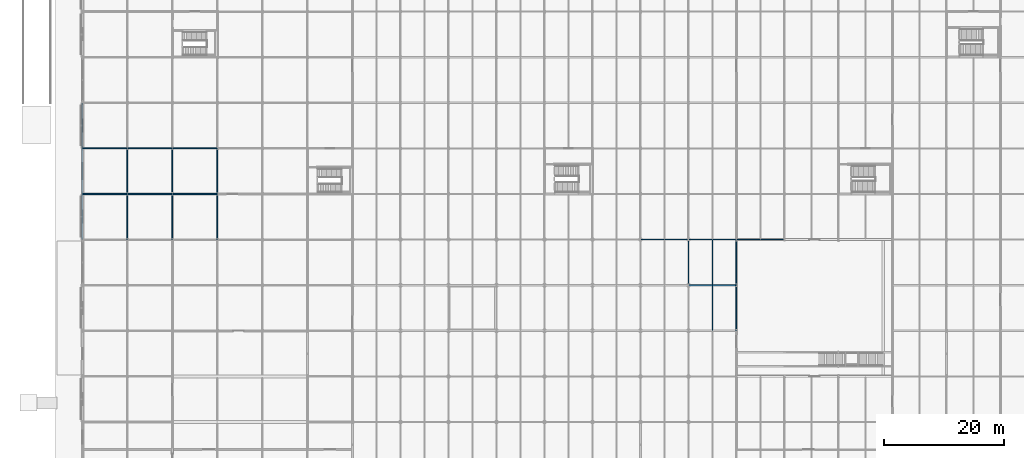
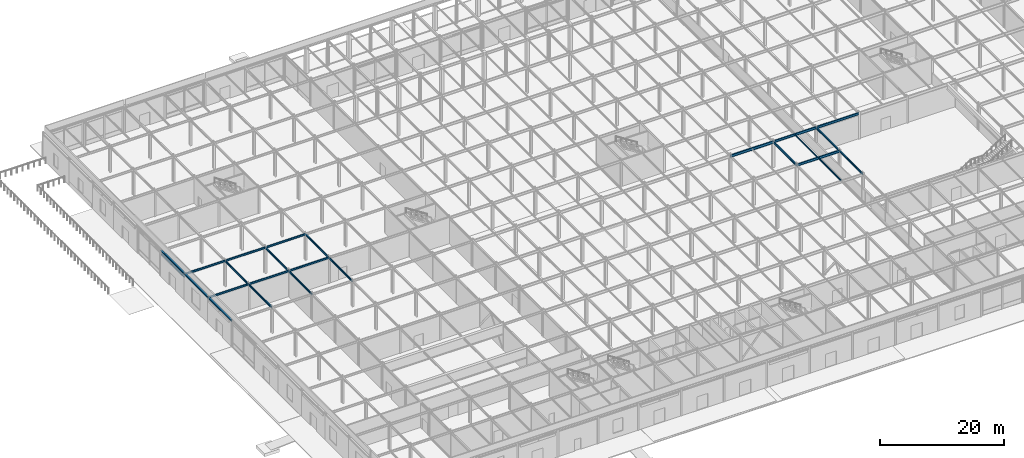
# One storey, part 28 of 89: 25 beams.
"""IFC4 building model written with IfcOpenShell, lengths in metres."""

from ifc_helpers import new_model, si_unit, direction, frame, origin, origin_2d, place, context, subcontext, project, spatial, i_section, extrude, material, material_profile, profile_set, type_object, element, save


model = new_model("IFC4")

# Units and contexts
model_context = context("Model", 3, precision=1e-05, world=origin(), true_north=direction((0.0, 1.0)))
body_context = subcontext(model_context, "Body", "Model", "MODEL_VIEW")
ifc_project = project(units=[si_unit("LENGTHUNIT", "METRE"), si_unit("AREAUNIT", "SQUARE_METRE"), si_unit("VOLUMEUNIT", "CUBIC_METRE"), si_unit("PLANEANGLEUNIT", "RADIAN"), si_unit("MASSUNIT", "GRAM", prefix="KILO")], contexts=[model_context])

# Site, building, storey
site_placement = place(None, origin())
site = spatial("IfcSite", under=ifc_project, at=site_placement, CompositionType="ELEMENT")
building_placement = place(site_placement, origin())
building = spatial("IfcBuilding", under=site, at=building_placement, Name="Shalkamar Park Central Library", CompositionType="ELEMENT")
storey_placement = place(building_placement, origin())
storey = spatial("IfcBuildingStorey", under=building, at=storey_placement, Name="L01", CompositionType="ELEMENT", Elevation=0.0)

# Beams
ifc_material = material(Name="Steel S355", Category="steel")
ifc_material_profile_1 = material_profile(ifc_material, i_section(OverallWidth=0.1201171875, OverallDepth=0.239990234375, WebThickness=0.006103515625, FlangeThickness=0.009765625, FilletRadius=0.014892578125, at=origin_2d()), Name="IPE 240")
ifc_profile_set_1 = profile_set([ifc_material_profile_1], Name="Steel S355")
beam_type_1 = type_object("IfcBeamType", Name="Composite Floor Joist IPE240", PredefinedType="JOIST", material=ifc_profile_set_1)
beam_1_placement = place(storey_placement, frame((225.0, 285.693115234375, 5.02001953125), z_axis=(0.0, 1.0, 0.0), x_axis=(-1.0, 0.0, 0.0)))
element("IfcBeam", 1, at=beam_1_placement, inside=storey, type_object=beam_type_1, Name="Composite Joist 14/G-1 (L01)", PredefinedType="JOIST", context=body_context, shape_type="SweptSolid", body=[
    extrude(i_section(OverallWidth=0.1201171875, OverallDepth=0.239990234375, WebThickness=0.006103515625, FlangeThickness=0.009765625, FilletRadius=0.014892578125, at=origin_2d()), origin(), (0.0, 0.0, 1.0), 7.413818359375),
])
ifc_material_profile_2 = material_profile(ifc_material, i_section(OverallWidth=0.135009765625, OverallDepth=0.27001953125, WebThickness=0.006591796875, FlangeThickness=0.01025390625, FilletRadius=0.014892578125, at=origin_2d()), Name="IPE 270")
ifc_profile_set_2 = profile_set([ifc_material_profile_2], Name="Steel S355")
beam_type_2 = type_object("IfcBeamType", Name="Composite Floor Joist IPE270", PredefinedType="JOIST", material=ifc_profile_set_2)
beam_2_placement = place(storey_placement, frame((225.0, 278.093017578125, 5.0048828125), z_axis=(0.0, 1.0, 0.0), x_axis=(-1.0, 0.0, 0.0)))
element("IfcBeam", 2, at=beam_2_placement, inside=storey, type_object=beam_type_2, Name="Composite Joist 14/F-1 (L01)", PredefinedType="JOIST", context=body_context, shape_type="SweptSolid", body=[
    extrude(i_section(OverallWidth=0.135009765625, OverallDepth=0.27001953125, WebThickness=0.006591796875, FlangeThickness=0.01025390625, FilletRadius=0.014892578125, at=origin_2d()), origin(), (0.0, 0.0, 1.0), 7.4140625),
])
ifc_material_profile_3 = material_profile(ifc_material, i_section(OverallWidth=0.179931640625, OverallDepth=0.1708984375, WebThickness=0.006103515625, FlangeThickness=0.009521484375, FilletRadius=0.014892578125, at=origin_2d()), Name="HEA 180")
ifc_profile_set_3 = profile_set([ifc_material_profile_3], Name="Steel S355")
beam_type_3 = type_object("IfcBeamType", Name="Opening Lintel Beam HEA180", PredefinedType="LINTEL", material=ifc_profile_set_3)
beam_3_placement = place(storey_placement, frame((120.0, 308.47998046875, 4.35009765625), z_axis=(0.0, 1.0, 0.0), x_axis=(-1.0, 0.0, 0.0)))
element("IfcBeam", 3, at=beam_3_placement, inside=storey, type_object=beam_type_3, Name="Opening Lintel L01-20", PredefinedType="LINTEL", context=body_context, shape_type="SweptSolid", body=[
    extrude(i_section(OverallWidth=0.179931640625, OverallDepth=0.1708984375, WebThickness=0.006103515625, FlangeThickness=0.009521484375, FilletRadius=0.014892578125, at=origin_2d()), origin(), (0.0, 0.0, 1.0), 7.43994140625),
])
ifc_material_profile_4 = material_profile(ifc_material, i_section(OverallWidth=0.280029296875, OverallDepth=0.27001953125, WebThickness=0.008056640625, FlangeThickness=0.012939453125, FilletRadius=0.02392578125, at=origin_2d()), Name="HEA 280")
ifc_profile_set_4 = profile_set([ifc_material_profile_4], Name="Steel S355")
beam_type_4 = type_object("IfcBeamType", Name="Perimeter Spandrel Beam HEA280", PredefinedType="SPANDREL", material=ifc_profile_set_4)
beam_4_placement = place(storey_placement, frame((120.0, 293.199951171875, 5.014892578125), z_axis=(0.0, 1.0, 0.0), x_axis=(-1.0, 0.0, 0.0)))
element("IfcBeam", 4, at=beam_4_placement, inside=storey, type_object=beam_type_4, Name="Beam 01:H-J (L01)", PredefinedType="SPANDREL", context=body_context, shape_type="SweptSolid", body=[
    extrude(i_section(OverallWidth=0.280029296875, OverallDepth=0.27001953125, WebThickness=0.008056640625, FlangeThickness=0.012939453125, FilletRadius=0.02392578125, at=origin_2d()), origin(), (0.0, 0.0, 1.0), 7.60009765625),
])
beam_5_placement = place(storey_placement, frame((120.0, 300.800048828125, 5.014892578125), z_axis=(0.0, 1.0, 0.0), x_axis=(-1.0, 0.0, 0.0)))
element("IfcBeam", 5, at=beam_5_placement, inside=storey, type_object=beam_type_4, Name="Beam 01:J-K (L01)", PredefinedType="SPANDREL", context=body_context, shape_type="SweptSolid", body=[
    extrude(i_section(OverallWidth=0.280029296875, OverallDepth=0.27001953125, WebThickness=0.008056640625, FlangeThickness=0.012939453125, FilletRadius=0.02392578125, at=origin_2d()), origin(), (0.0, 0.0, 1.0), 7.599853515625),
])
beam_6_placement = place(storey_placement, frame((120.0, 308.39990234375, 5.014892578125), z_axis=(0.0, 1.0, 0.0), x_axis=(-1.0, 0.0, 0.0)))
element("IfcBeam", 6, at=beam_6_placement, inside=storey, type_object=beam_type_4, Name="Beam 01:K-L (L01)", PredefinedType="SPANDREL", context=body_context, shape_type="SweptSolid", body=[
    extrude(i_section(OverallWidth=0.280029296875, OverallDepth=0.27001953125, WebThickness=0.008056640625, FlangeThickness=0.012939453125, FilletRadius=0.02392578125, at=origin_2d()), origin(), (0.0, 0.0, 1.0), 7.60009765625),
])
ifc_material_profile_5 = material_profile(ifc_material, i_section(OverallWidth=0.169921875, OverallDepth=0.360107421875, WebThickness=0.008056640625, FlangeThickness=0.0126953125, FilletRadius=0.01806640625, at=origin_2d()), Name="IPE 360")
ifc_profile_set_5 = profile_set([ifc_material_profile_5], Name="Steel S355")
beam_type_5 = type_object("IfcBeamType", Name="Primary Girder IPE360", PredefinedType="BEAM", material=ifc_profile_set_5)
for number, where, z_axis, x_axis, name in (
    (7, (120.0, 300.800048828125, 4.969970703125), (1.0, 0.0, 0.0), (0.0, 1.0, 0.0), "Beam J:01-02 (L01)"),
    (8, (127.5, 300.800048828125, 4.9599609375), (1.0, 0.0, 0.0), (0.0, 1.0, 0.0), "Beam J:02-03 (L01)"),
    (9, (135.0, 300.800048828125, 4.9599609375), (1.0, 0.0, 0.0), (0.0, 1.0, 0.0), "Beam J:03-04 (L01)"),
    (10, (120.0, 308.39990234375, 4.969970703125), (1.0, 0.0, 0.0), (0.0, 1.0, 0.0), "Beam K:01-02 (L01)"),
    (11, (127.5, 308.39990234375, 4.9599609375), (1.0, 0.0, 0.0), (0.0, 1.0, 0.0), "Beam K:02-03 (L01)"),
    (12, (135.0, 308.39990234375, 4.9599609375), (1.0, 0.0, 0.0), (0.0, 1.0, 0.0), "Beam K:03-04 (L01)"),
):
    element("IfcBeam", number, at=place(storey_placement, frame(where, z_axis=z_axis, x_axis=x_axis)), inside=storey, type_object=beam_type_5, Name=name, PredefinedType="BEAM", context=body_context, shape_type="SweptSolid", body=[
        extrude(i_section(OverallWidth=0.169921875, OverallDepth=0.360107421875, WebThickness=0.008056640625, FlangeThickness=0.0126953125, FilletRadius=0.01806640625, at=origin_2d()), origin(), (0.0, 0.0, 1.0), 7.5),
    ])
beam_7_placement = place(storey_placement, frame((127.5, 293.199951171875, 4.969970703125), z_axis=(0.0, 1.0, 0.0), x_axis=(-1.0, 0.0, 0.0)))
element("IfcBeam", 13, at=beam_7_placement, inside=storey, type_object=beam_type_5, Name="Beam 02:H-J (L01)", PredefinedType="BEAM", context=body_context, shape_type="SweptSolid", body=[
    extrude(i_section(OverallWidth=0.169921875, OverallDepth=0.360107421875, WebThickness=0.008056640625, FlangeThickness=0.0126953125, FilletRadius=0.01806640625, at=origin_2d()), origin(), (0.0, 0.0, 1.0), 7.60009765625),
])
beam_8_placement = place(storey_placement, frame((127.5, 300.800048828125, 4.969970703125), z_axis=(0.0, 1.0, 0.0), x_axis=(-1.0, 0.0, 0.0)))
element("IfcBeam", 14, at=beam_8_placement, inside=storey, type_object=beam_type_5, Name="Beam 02:J-K (L01)", PredefinedType="BEAM", context=body_context, shape_type="SweptSolid", body=[
    extrude(i_section(OverallWidth=0.169921875, OverallDepth=0.360107421875, WebThickness=0.008056640625, FlangeThickness=0.0126953125, FilletRadius=0.01806640625, at=origin_2d()), origin(), (0.0, 0.0, 1.0), 7.599853515625),
])
beam_9_placement = place(storey_placement, frame((135.0, 293.199951171875, 4.9599609375), z_axis=(0.0, 1.0, 0.0), x_axis=(-1.0, 0.0, 0.0)))
element("IfcBeam", 15, at=beam_9_placement, inside=storey, type_object=beam_type_5, Name="Beam 03:H-J (L01)", PredefinedType="BEAM", context=body_context, shape_type="SweptSolid", body=[
    extrude(i_section(OverallWidth=0.169921875, OverallDepth=0.360107421875, WebThickness=0.008056640625, FlangeThickness=0.0126953125, FilletRadius=0.01806640625, at=origin_2d()), origin(), (0.0, 0.0, 1.0), 7.60009765625),
])
beam_10_placement = place(storey_placement, frame((135.0, 300.800048828125, 4.9599609375), z_axis=(0.0, 1.0, 0.0), x_axis=(-1.0, 0.0, 0.0)))
element("IfcBeam", 16, at=beam_10_placement, inside=storey, type_object=beam_type_5, Name="Beam 03:J-K (L01)", PredefinedType="BEAM", context=body_context, shape_type="SweptSolid", body=[
    extrude(i_section(OverallWidth=0.169921875, OverallDepth=0.360107421875, WebThickness=0.008056640625, FlangeThickness=0.0126953125, FilletRadius=0.01806640625, at=origin_2d()), origin(), (0.0, 0.0, 1.0), 7.599853515625),
])
beam_11_placement = place(storey_placement, frame((142.5, 293.199951171875, 4.9599609375), z_axis=(0.0, 1.0, 0.0), x_axis=(-1.0, 0.0, 0.0)))
element("IfcBeam", 17, at=beam_11_placement, inside=storey, type_object=beam_type_5, Name="Beam 04:H-J (L01)", PredefinedType="BEAM", context=body_context, shape_type="SweptSolid", body=[
    extrude(i_section(OverallWidth=0.169921875, OverallDepth=0.360107421875, WebThickness=0.008056640625, FlangeThickness=0.0126953125, FilletRadius=0.01806640625, at=origin_2d()), origin(), (0.0, 0.0, 1.0), 7.60009765625),
])
beam_12_placement = place(storey_placement, frame((142.5, 300.800048828125, 4.9599609375), z_axis=(0.0, 1.0, 0.0), x_axis=(-1.0, 0.0, 0.0)))
element("IfcBeam", 18, at=beam_12_placement, inside=storey, type_object=beam_type_5, Name="Beam 04:J-K (L01)", PredefinedType="BEAM", context=body_context, shape_type="SweptSolid", body=[
    extrude(i_section(OverallWidth=0.169921875, OverallDepth=0.360107421875, WebThickness=0.008056640625, FlangeThickness=0.0126953125, FilletRadius=0.01806640625, at=origin_2d()), origin(), (0.0, 0.0, 1.0), 7.599853515625),
])
beam_13_placement = place(storey_placement, frame((229.0, 278.0, 4.9599609375), z_axis=(0.0, 1.0, 0.0), x_axis=(-1.0, 0.0, 0.0)))
element("IfcBeam", 19, at=beam_13_placement, inside=storey, type_object=beam_type_5, Name="Beam 15:F-G (L01)", PredefinedType="BEAM", context=body_context, shape_type="SweptSolid", body=[
    extrude(i_section(OverallWidth=0.169921875, OverallDepth=0.360107421875, WebThickness=0.008056640625, FlangeThickness=0.0126953125, FilletRadius=0.01806640625, at=origin_2d()), origin(), (0.0, 0.0, 1.0), 7.60009765625),
])
beam_14_placement = place(storey_placement, frame((229.0, 285.60009765625, 4.9599609375), z_axis=(0.0, 1.0, 0.0), x_axis=(-1.0, 0.0, 0.0)))
element("IfcBeam", 20, at=beam_14_placement, inside=storey, type_object=beam_type_5, Name="Beam 15:G-H (L01)", PredefinedType="BEAM", context=body_context, shape_type="SweptSolid", body=[
    extrude(i_section(OverallWidth=0.169921875, OverallDepth=0.360107421875, WebThickness=0.008056640625, FlangeThickness=0.0126953125, FilletRadius=0.01806640625, at=origin_2d()), origin(), (0.0, 0.0, 1.0), 7.599853515625),
])
ifc_material_profile_6 = material_profile(ifc_material, i_section(OverallWidth=0.179931640625, OverallDepth=0.39990234375, WebThickness=0.008544921875, FlangeThickness=0.013427734375, FilletRadius=0.02099609375, at=origin_2d()), Name="IPE 400")
ifc_profile_set_6 = profile_set([ifc_material_profile_6], Name="Steel S355")
beam_type_6 = type_object("IfcBeamType", Name="Primary Girder IPE400", PredefinedType="BEAM", material=ifc_profile_set_6)
beam_15_placement = place(storey_placement, frame((221.0, 285.60009765625, 4.93994140625), z_axis=(0.0, 1.0, 0.0), x_axis=(-1.0, 0.0, 0.0)))
element("IfcBeam", 21, at=beam_15_placement, inside=storey, type_object=beam_type_6, Name="Beam 14:G-H (L01)", PredefinedType="BEAM", context=body_context, shape_type="SweptSolid", body=[
    extrude(i_section(OverallWidth=0.179931640625, OverallDepth=0.39990234375, WebThickness=0.008544921875, FlangeThickness=0.013427734375, FilletRadius=0.02099609375, at=origin_2d()), origin(), (0.0, 0.0, 1.0), 7.599853515625),
])
ifc_material_profile_7 = material_profile(ifc_material, i_section(OverallWidth=0.18994140625, OverallDepth=0.449951171875, WebThickness=0.009521484375, FlangeThickness=0.0146484375, FilletRadius=0.02099609375, at=origin_2d()), Name="IPE 450")
ifc_profile_set_7 = profile_set([ifc_material_profile_7], Name="Steel S355")
beam_type_7 = type_object("IfcBeamType", Name="Primary Girder IPE450", PredefinedType="BEAM", material=ifc_profile_set_7)
for number, where, z_axis, x_axis, name in (
    (22, (221.0, 285.60009765625, 4.9150390625), (1.0, 0.0, 0.0), (0.0, 1.0, 0.0), "Beam G:14-15 (L01)"),
    (23, (221.0, 293.199951171875, 4.9150390625), (1.0, 0.0, 0.0), (0.0, 1.0, 0.0), "Beam H:14-15 (L01)"),
    (24, (229.0, 293.199951171875, 4.9150390625), (1.0, 0.0, 0.0), (0.0, 1.0, 0.0), "Beam H:15-16 (L01)"),
):
    element("IfcBeam", number, at=place(storey_placement, frame(where, z_axis=z_axis, x_axis=x_axis)), inside=storey, type_object=beam_type_7, Name=name, PredefinedType="BEAM", context=body_context, shape_type="SweptSolid", body=[
        extrude(i_section(OverallWidth=0.18994140625, OverallDepth=0.449951171875, WebThickness=0.009521484375, FlangeThickness=0.0146484375, FilletRadius=0.02099609375, at=origin_2d()), origin(), (0.0, 0.0, 1.0), 8.0),
    ])
ifc_material_profile_8 = material_profile(ifc_material, i_section(OverallWidth=0.199951171875, OverallDepth=0.5, WebThickness=0.01025390625, FlangeThickness=0.01611328125, FilletRadius=0.02099609375, at=origin_2d()), Name="IPE 500")
ifc_profile_set_8 = profile_set([ifc_material_profile_8], Name="Steel S355")
beam_type_8 = type_object("IfcBeamType", Name="Primary Girder IPE500", PredefinedType="BEAM", material=ifc_profile_set_8)
beam_16_placement = place(storey_placement, frame((213.0, 293.199951171875, 4.889892578125), z_axis=(1.0, 0.0, 0.0), x_axis=(0.0, 1.0, 0.0)))
element("IfcBeam", 25, at=beam_16_placement, inside=storey, type_object=beam_type_8, Name="Beam H:13-14 (L01)", PredefinedType="BEAM", context=body_context, shape_type="SweptSolid", body=[
    extrude(i_section(OverallWidth=0.199951171875, OverallDepth=0.5, WebThickness=0.01025390625, FlangeThickness=0.01611328125, FilletRadius=0.02099609375, at=origin_2d()), origin(), (0.0, 0.0, 1.0), 8.0),
])

save(model, "model.ifc")
